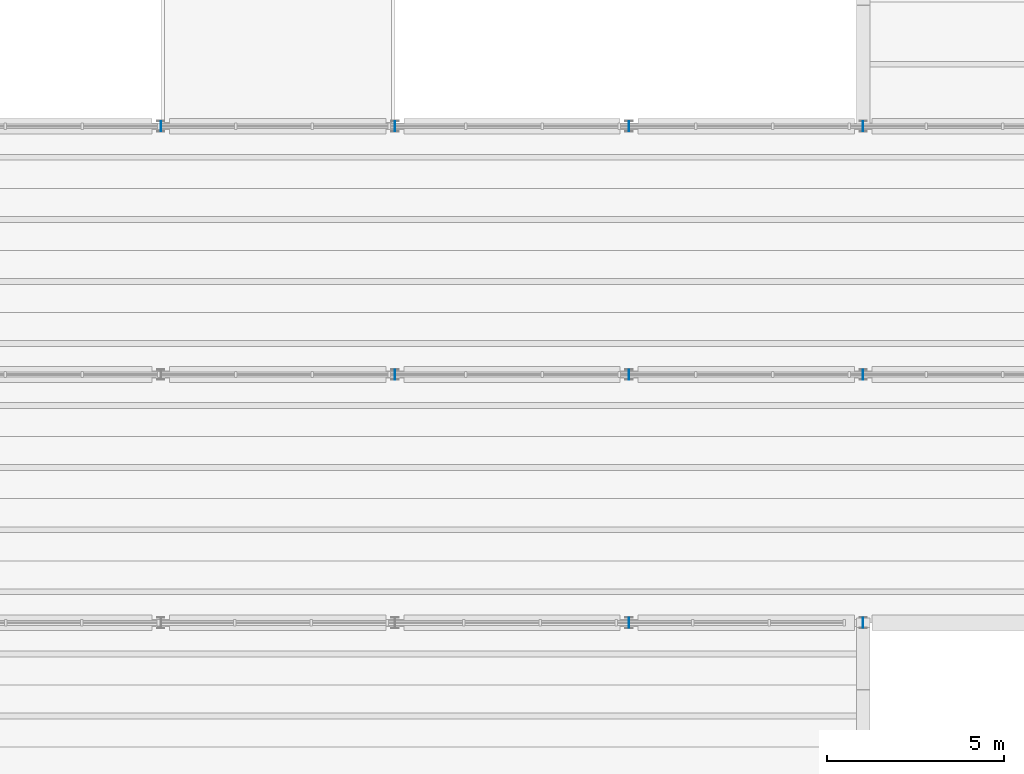
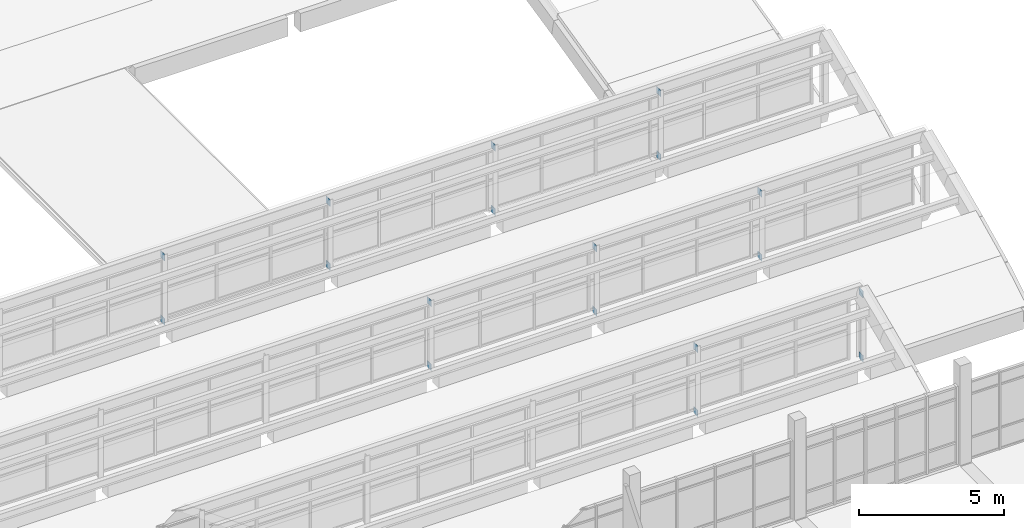
# One storey, part 79 of 92: 18 plates.
"""IFC4 building model written with IfcOpenShell, lengths in metres."""

from ifc_helpers import new_model, si_unit, direction, frame, origin, origin_2d, place, context, subcontext, project, spatial, rectangle, extrude, material, layer, layer_set, type_object, element, save


model = new_model("IFC4")

# Units and contexts
model_context = context("Model", 3, precision=1e-05, world=origin(), true_north=direction((0.0, 1.0)))
body_context = subcontext(model_context, "Body", "Model", "MODEL_VIEW")
ifc_project = project(units=[si_unit("LENGTHUNIT", "METRE"), si_unit("AREAUNIT", "SQUARE_METRE"), si_unit("VOLUMEUNIT", "CUBIC_METRE"), si_unit("PLANEANGLEUNIT", "RADIAN"), si_unit("MASSUNIT", "GRAM", prefix="KILO")], contexts=[model_context])

# Site, building, storey
site_placement = place(None, origin())
site = spatial("IfcSite", under=ifc_project, at=site_placement, CompositionType="ELEMENT")
building_placement = place(site_placement, origin())
building = spatial("IfcBuilding", under=site, at=building_placement, Name="Ciguamira Faculty of Natural Sciences", CompositionType="ELEMENT")
storey_placement = place(building_placement, frame((0.0, 0.0, 16.800048828125)))
storey = spatial("IfcBuildingStorey", under=building, at=storey_placement, Name="L04", CompositionType="ELEMENT", Elevation=16.800048828125)

# Plates
ifc_material = material(Name="Steel ASTM A572 Grade 50", Category="steel")
ifc_layer = layer(ifc_material, 0.01611328125, Name="Steel ASTM A572 Grade 50")
ifc_layer_set = layer_set([ifc_layer], Name="Steel ASTM A572 Grade 50")
plate_type = type_object("IfcPlateType", Name="GussetPlate_EP-01", PredefinedType="SHEET", material=ifc_layer_set)
for number, where, z_axis, x_axis, name in (
    (1, (103.5, 45.0, 0.0), (0.0, 0.0, 1.0), (1.0, 0.0, 0.0), "V4 wave 1 post connection plate 104-1"),
    (2, (103.5, 45.0, 2.7060546875), (0.0, 0.0, 1.0), (1.0, 0.0, 0.0), "V4 wave 1 post connection plate 104-2"),
    (3, (110.10009765625, 45.0, 0.0), (0.0, 0.0, 1.0), (1.0, 0.0, 0.0), "V4 wave 1 post connection plate 110-1"),
    (4, (110.10009765625, 45.0, 2.7060546875), (0.0, 0.0, 1.0), (1.0, 0.0, 0.0), "V4 wave 1 post connection plate 110-2"),
    (5, (96.89990234375, 52.0, 0.0), (0.0, 0.0, 1.0), (1.0, 0.0, 0.0), "V4 wave 2 post connection plate 97-1"),
    (6, (96.89990234375, 52.0, 2.7060546875), (0.0, 0.0, 1.0), (1.0, 0.0, 0.0), "V4 wave 2 post connection plate 97-2"),
    (7, (103.5, 52.0, 0.0), (0.0, 0.0, 1.0), (1.0, 0.0, 0.0), "V4 wave 2 post connection plate 104-1"),
    (8, (103.5, 52.0, 2.7060546875), (0.0, 0.0, 1.0), (1.0, 0.0, 0.0), "V4 wave 2 post connection plate 104-2"),
    (9, (110.10009765625, 52.0, 0.0), (0.0, 0.0, 1.0), (1.0, 0.0, 0.0), "V4 wave 2 post connection plate 110-1"),
    (10, (110.10009765625, 52.0, 2.7060546875), (0.0, 0.0, 1.0), (1.0, 0.0, 0.0), "V4 wave 2 post connection plate 110-2"),
    (11, (90.300048828125, 59.0, 0.0), (0.0, 0.0, 1.0), (1.0, 0.0, 0.0), "V4 wave 3 post connection plate 90-1"),
    (12, (90.300048828125, 59.0, 2.7060546875), (0.0, 0.0, 1.0), (1.0, 0.0, 0.0), "V4 wave 3 post connection plate 90-2"),
    (13, (96.89990234375, 59.0, 0.0), (0.0, 0.0, 1.0), (1.0, 0.0, 0.0), "V4 wave 3 post connection plate 97-1"),
    (14, (96.89990234375, 59.0, 2.7060546875), (0.0, 0.0, 1.0), (1.0, 0.0, 0.0), "V4 wave 3 post connection plate 97-2"),
    (15, (103.5, 59.0, 0.0), (0.0, 0.0, 1.0), (1.0, 0.0, 0.0), "V4 wave 3 post connection plate 104-1"),
    (16, (103.5, 59.0, 2.7060546875), (0.0, 0.0, 1.0), (1.0, 0.0, 0.0), "V4 wave 3 post connection plate 104-2"),
    (17, (110.10009765625, 59.0, 0.0), (0.0, 0.0, 1.0), (1.0, 0.0, 0.0), "V4 wave 3 post connection plate 110-1"),
    (18, (110.10009765625, 59.0, 2.7060546875), (0.0, 0.0, 1.0), (1.0, 0.0, 0.0), "V4 wave 3 post connection plate 110-2"),
):
    element("IfcPlate", number, at=place(storey_placement, frame(where, z_axis=z_axis, x_axis=x_axis)), inside=storey, type_object=plate_type, Name=name, PredefinedType="SHEET", context=body_context, shape_type="SweptSolid", body=[
        extrude(rectangle(XDim=0.01611328125, YDim=0.280029296875, at=origin_2d()), origin(), (0.0, 0.0, 1.0), 0.280029296875),
    ])

save(model, "model.ifc")
